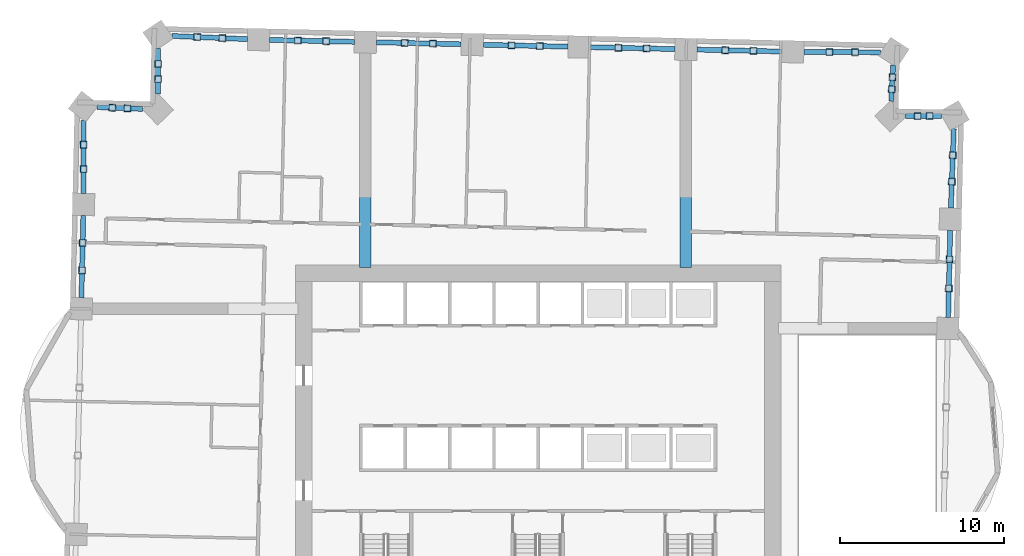
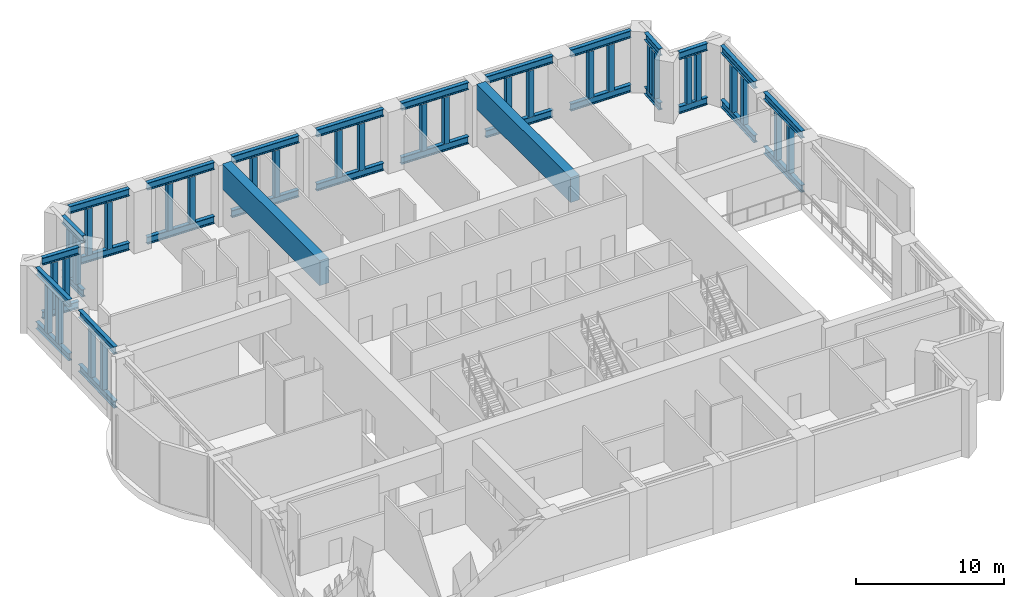
# One storey, part 4 of 13: 60 members, 2 beams.
"""IFC4 building model written with IfcOpenShell, lengths in metres."""

from ifc_helpers import new_model, si_unit, direction, frame, origin, origin_2d, place, context, subcontext, project, spatial, rectangle, hollow_rectangle, i_section, extrude, material, material_profile, profile_set, type_object, element, save


model = new_model("IFC4")

# Units and contexts
model_context = context("Model", 3, precision=1e-05, world=origin(), true_north=direction((0.0, 1.0)))
body_context = subcontext(model_context, "Body", "Model", "MODEL_VIEW")
ifc_project = project(units=[si_unit("LENGTHUNIT", "METRE"), si_unit("AREAUNIT", "SQUARE_METRE"), si_unit("VOLUMEUNIT", "CUBIC_METRE"), si_unit("PLANEANGLEUNIT", "RADIAN"), si_unit("MASSUNIT", "GRAM", prefix="KILO")], contexts=[model_context])

# Site, building, storey
site_placement = place(None, origin())
site = spatial("IfcSite", under=ifc_project, at=site_placement, CompositionType="ELEMENT")
building_placement = place(site_placement, origin())
building = spatial("IfcBuilding", under=site, at=building_placement, Name="Mangrove Gate Tower", CompositionType="ELEMENT")
storey_placement = place(building_placement, frame((0.0, 0.0, 119.89990234375)))
storey = spatial("IfcBuildingStorey", under=building, at=storey_placement, Name="L30", CompositionType="ELEMENT", Elevation=119.89990234375)

# Members
ifc_material_1 = material(Name="Steel S355J2", Category="steel")
ifc_material_profile_1 = material_profile(ifc_material_1, i_section(OverallWidth=0.300048828125, OverallDepth=0.60009765625, WebThickness=0.015380859375, FlangeThickness=0.030029296875, FilletRadius=0.027099609375, at=origin_2d()))
ifc_profile_set_1 = profile_set([ifc_material_profile_1], Name="Steel S355J2")
member_type_1 = type_object("IfcMemberType", Name="Belt truss chord HE 600 B", PredefinedType="CHORD", material=ifc_profile_set_1)
for number, where, z_axis, x_axis, name in (
    (1, (24.993408203125, 8.59912109375, 0.300048828125), (0.022659804799, 0.999743233659, 0.0), (-0.999743233659, 0.022659804799, 0.0), "Belt truss bottom chord L30 16"),
    (2, (24.993408203125, 8.59912109375, 4.75), (0.022659804799, 0.999743233659, 0.0), (-0.999743233659, 0.022659804799, 0.0), "Belt truss top chord L30 16"),
):
    element("IfcMember", number, at=place(storey_placement, frame(where, z_axis=z_axis, x_axis=x_axis)), inside=storey, type_object=member_type_1, Name=name, PredefinedType="CHORD", context=body_context, shape_type="SweptSolid", body=[
        extrude(i_section(OverallWidth=0.300048828125, OverallDepth=0.60009765625, WebThickness=0.015380859375, FlangeThickness=0.030029296875, FilletRadius=0.027099609375, at=origin_2d()), origin(), (0.0, 0.0, 1.0), 5.311767578125),
    ])
for number, where, z_axis, x_axis, name in (
    (3, (25.15478515625, 15.2587890625, 0.300048828125), (0.037881748056, 0.999282228984, 0.0), (-0.999282228984, 0.037881748056, 0.0), "Belt truss bottom chord L30 17"),
    (4, (25.15478515625, 15.2587890625, 4.75), (0.037881748056, 0.999282228984, 0.0), (-0.999282228984, 0.037881748056, 0.0), "Belt truss top chord L30 17"),
):
    element("IfcMember", number, at=place(storey_placement, frame(where, z_axis=z_axis, x_axis=x_axis)), inside=storey, type_object=member_type_1, Name=name, PredefinedType="CHORD", context=body_context, shape_type="SweptSolid", body=[
        extrude(i_section(OverallWidth=0.300048828125, OverallDepth=0.60009765625, WebThickness=0.015380859375, FlangeThickness=0.030029296875, FilletRadius=0.027099609375, at=origin_2d()), origin(), (0.0, 0.0, 1.0), 4.846435546875),
    ])
for number, where, z_axis, x_axis, name in (
    (5, (24.59619140625, 20.8876953125, 0.300048828125), (-0.999944627484, -0.010523400865, 0.0), (0.010523400865, -0.999944627484, 0.0), "Belt truss bottom chord L30 18"),
    (6, (24.59619140625, 20.8876953125, 4.75), (-0.999944627484, -0.010523400865, 0.0), (0.010523400865, -0.999944627484, 0.0), "Belt truss top chord L30 18"),
):
    element("IfcMember", number, at=place(storey_placement, frame(where, z_axis=z_axis, x_axis=x_axis)), inside=storey, type_object=member_type_1, Name=name, PredefinedType="CHORD", context=body_context, shape_type="SweptSolid", body=[
        extrude(i_section(OverallWidth=0.300048828125, OverallDepth=0.60009765625, WebThickness=0.015380859375, FlangeThickness=0.030029296875, FilletRadius=0.027099609375, at=origin_2d()), origin(), (0.0, 0.0, 1.0), 2.203857421875),
    ])
for number, where, z_axis, x_axis, name in (
    (7, (21.5185546875, 21.77880859375, 0.300048828125), (0.054456450957, 0.998516146564, 0.0), (-0.998516146564, 0.054456450957, 0.0), "Belt truss bottom chord L30 19"),
    (8, (21.5185546875, 21.77880859375, 4.75), (0.054456450957, 0.998516146564, 0.0), (-0.998516146564, 0.054456450957, 0.0), "Belt truss top chord L30 19"),
):
    element("IfcMember", number, at=place(storey_placement, frame(where, z_axis=z_axis, x_axis=x_axis)), inside=storey, type_object=member_type_1, Name=name, PredefinedType="CHORD", context=body_context, shape_type="SweptSolid", body=[
        extrude(i_section(OverallWidth=0.300048828125, OverallDepth=0.60009765625, WebThickness=0.015380859375, FlangeThickness=0.030029296875, FilletRadius=0.027099609375, at=origin_2d()), origin(), (0.0, 0.0, 1.0), 2.201171875),
    ])
for number, where, z_axis, x_axis, name in (
    (9, (20.880859375, 24.758056640625, 0.300048828125), (-0.999979817099, 0.006353376611, 0.0), (-0.006353376611, -0.999979817099, 0.0), "Belt truss bottom chord L30 20"),
    (10, (20.880859375, 24.758056640625, 4.75), (-0.999979817099, 0.006353376611, 0.0), (-0.006353376611, -0.999979817099, 0.0), "Belt truss top chord L30 20"),
):
    element("IfcMember", number, at=place(storey_placement, frame(where, z_axis=z_axis, x_axis=x_axis)), inside=storey, type_object=member_type_1, Name=name, PredefinedType="CHORD", context=body_context, shape_type="SweptSolid", body=[
        extrude(i_section(OverallWidth=0.300048828125, OverallDepth=0.60009765625, WebThickness=0.015380859375, FlangeThickness=0.030029296875, FilletRadius=0.027099609375, at=origin_2d()), origin(), (0.0, 0.0, 1.0), 4.68798828125),
    ])
for number, where, z_axis, x_axis, name in (
    (11, (14.8427734375, 24.8076171875, 0.300048828125), (-0.999742542789, 0.022690265286, 0.0), (-0.022690265286, -0.999742542789, 0.0), "Belt truss bottom chord L30 21"),
    (12, (14.8427734375, 24.8076171875, 4.75), (-0.999742542789, 0.022690265286, 0.0), (-0.022690265286, -0.999742542789, 0.0), "Belt truss top chord L30 21"),
):
    element("IfcMember", number, at=place(storey_placement, frame(where, z_axis=z_axis, x_axis=x_axis)), inside=storey, type_object=member_type_1, Name=name, PredefinedType="CHORD", context=body_context, shape_type="SweptSolid", body=[
        extrude(i_section(OverallWidth=0.300048828125, OverallDepth=0.60009765625, WebThickness=0.015380859375, FlangeThickness=0.030029296875, FilletRadius=0.027099609375, at=origin_2d()), origin(), (0.0, 0.0, 1.0), 5.16455078125),
    ])
for number, where, z_axis, x_axis, name in (
    (13, (8.329833984375, 24.95556640625, 0.300048828125), (-0.999742640111, 0.0226859768, 0.0), (-0.0226859768, -0.999742640111, 0.0), "Belt truss bottom chord L30 22"),
    (14, (8.329833984375, 24.95556640625, 4.75), (-0.999742640111, 0.0226859768, 0.0), (-0.0226859768, -0.999742640111, 0.0), "Belt truss top chord L30 22"),
    (15, (1.81591796875, 25.103515625, 0.300048828125), (-0.999741567077, 0.022733214852, 0.0), (-0.022733214852, -0.999741567077, 0.0), "Belt truss bottom chord L30 23"),
    (16, (1.81591796875, 25.103515625, 4.75), (-0.999741567077, 0.022733214852, 0.0), (-0.022733214852, -0.999741567077, 0.0), "Belt truss top chord L30 23"),
    (17, (-4.6982421875, 25.25146484375, 0.300048828125), (-0.999741567077, 0.022733214852, 0.0), (-0.022733214852, -0.999741567077, 0.0), "Belt truss bottom chord L30 24"),
    (18, (-4.6982421875, 25.25146484375, 4.75), (-0.999741567077, 0.022733214852, 0.0), (-0.022733214852, -0.999741567077, 0.0), "Belt truss top chord L30 24"),
):
    element("IfcMember", number, at=place(storey_placement, frame(where, z_axis=z_axis, x_axis=x_axis)), inside=storey, type_object=member_type_1, Name=name, PredefinedType="CHORD", context=body_context, shape_type="SweptSolid", body=[
        extrude(i_section(OverallWidth=0.300048828125, OverallDepth=0.60009765625, WebThickness=0.015380859375, FlangeThickness=0.030029296875, FilletRadius=0.027099609375, at=origin_2d()), origin(), (0.0, 0.0, 1.0), 5.16552734375),
    ])
for number, where, z_axis, x_axis, name in (
    (19, (-11.212158203125, 25.3994140625, 0.300048828125), (-0.999741469349, 0.022737512259, 0.0), (-0.022737512259, -0.999741469349, 0.0), "Belt truss bottom chord L30 25"),
    (20, (-11.212158203125, 25.3994140625, 4.75), (-0.999741469349, 0.022737512259, 0.0), (-0.022737512259, -0.999741469349, 0.0), "Belt truss top chord L30 25"),
):
    element("IfcMember", number, at=place(storey_placement, frame(where, z_axis=z_axis, x_axis=x_axis)), inside=storey, type_object=member_type_1, Name=name, PredefinedType="CHORD", context=body_context, shape_type="SweptSolid", body=[
        extrude(i_section(OverallWidth=0.300048828125, OverallDepth=0.60009765625, WebThickness=0.015380859375, FlangeThickness=0.030029296875, FilletRadius=0.027099609375, at=origin_2d()), origin(), (0.0, 0.0, 1.0), 5.16455078125),
    ])
for number, where, z_axis, x_axis, name in (
    (21, (-17.724853515625, 25.56103515625, 0.300048828125), (-0.999087933273, 0.042700135693, 0.0), (-0.042700135693, -0.999087933273, 0.0), "Belt truss bottom chord L30 26"),
    (22, (-17.724853515625, 25.56103515625, 4.75), (-0.999087933273, 0.042700135693, 0.0), (-0.042700135693, -0.999087933273, 0.0), "Belt truss top chord L30 26"),
):
    element("IfcMember", number, at=place(storey_placement, frame(where, z_axis=z_axis, x_axis=x_axis)), inside=storey, type_object=member_type_1, Name=name, PredefinedType="CHORD", context=body_context, shape_type="SweptSolid", body=[
        extrude(i_section(OverallWidth=0.300048828125, OverallDepth=0.60009765625, WebThickness=0.015380859375, FlangeThickness=0.030029296875, FilletRadius=0.027099609375, at=origin_2d()), origin(), (0.0, 0.0, 1.0), 4.614013671875),
    ])
for number, where, z_axis, x_axis, name in (
    (23, (-23.175048828125, 24.978515625, 0.300048828125), (-0.003432474059, -0.999994109044, 0.0), (0.999994109044, -0.003432474059, 0.0), "Belt truss bottom chord L30 27"),
    (24, (-23.175048828125, 24.978515625, 4.75), (-0.003432474059, -0.999994109044, 0.0), (0.999994109044, -0.003432474059, 0.0), "Belt truss top chord L30 27"),
):
    element("IfcMember", number, at=place(storey_placement, frame(where, z_axis=z_axis, x_axis=x_axis)), inside=storey, type_object=member_type_1, Name=name, PredefinedType="CHORD", context=body_context, shape_type="SweptSolid", body=[
        extrude(i_section(OverallWidth=0.300048828125, OverallDepth=0.60009765625, WebThickness=0.015380859375, FlangeThickness=0.030029296875, FilletRadius=0.027099609375, at=origin_2d()), origin(), (0.0, 0.0, 1.0), 2.77392578125),
    ])
for number, where, z_axis, x_axis, name in (
    (25, (-24.124755859375, 21.30615234375, 0.300048828125), (-0.999174125775, 0.040633316159, 0.0), (-0.040633316159, -0.999174125775, 0.0), "Belt truss bottom chord L30 28"),
    (26, (-24.124755859375, 21.30615234375, 4.75), (-0.999174125775, 0.040633316159, 0.0), (-0.040633316159, -0.999174125775, 0.0), "Belt truss top chord L30 28"),
):
    element("IfcMember", number, at=place(storey_placement, frame(where, z_axis=z_axis, x_axis=x_axis)), inside=storey, type_object=member_type_1, Name=name, PredefinedType="CHORD", context=body_context, shape_type="SweptSolid", body=[
        extrude(i_section(OverallWidth=0.300048828125, OverallDepth=0.60009765625, WebThickness=0.015380859375, FlangeThickness=0.030029296875, FilletRadius=0.027099609375, at=origin_2d()), origin(), (0.0, 0.0, 1.0), 2.769775390625),
    ])
for number, where, z_axis, x_axis, name in (
    (27, (-27.71533203125, 20.606201171875, 0.300048828125), (-0.001317521913, -0.999999132068, 0.0), (0.999999132068, -0.001317521913, 0.0), "Belt truss bottom chord L30 29"),
    (28, (-27.71533203125, 20.606201171875, 4.75), (-0.001317521913, -0.999999132068, 0.0), (0.999999132068, -0.001317521913, 0.0), "Belt truss top chord L30 29"),
):
    element("IfcMember", number, at=place(storey_placement, frame(where, z_axis=z_axis, x_axis=x_axis)), inside=storey, type_object=member_type_1, Name=name, PredefinedType="CHORD", context=body_context, shape_type="SweptSolid", body=[
        extrude(i_section(OverallWidth=0.300048828125, OverallDepth=0.60009765625, WebThickness=0.015380859375, FlangeThickness=0.030029296875, FilletRadius=0.027099609375, at=origin_2d()), origin(), (0.0, 0.0, 1.0), 4.447265625),
    ])
for number, where, z_axis, x_axis, name in (
    (29, (-27.737548828125, 14.808837890625, 0.300048828125), (-0.02259970241, -0.999744594109, 0.0), (0.999744594109, -0.02259970241, 0.0), "Belt truss bottom chord L30 30"),
    (30, (-27.737548828125, 14.808837890625, 4.75), (-0.02259970241, -0.999744594109, 0.0), (0.999744594109, -0.02259970241, 0.0), "Belt truss top chord L30 30"),
):
    element("IfcMember", number, at=place(storey_placement, frame(where, z_axis=z_axis, x_axis=x_axis)), inside=storey, type_object=member_type_1, Name=name, PredefinedType="CHORD", context=body_context, shape_type="SweptSolid", body=[
        extrude(i_section(OverallWidth=0.300048828125, OverallDepth=0.60009765625, WebThickness=0.015380859375, FlangeThickness=0.030029296875, FilletRadius=0.027099609375, at=origin_2d()), origin(), (0.0, 0.0, 1.0), 5.012451171875),
    ])
ifc_material_2 = material(Name="Steel S355J2H", Category="steel")
ifc_material_profile_2 = material_profile(ifc_material_2, hollow_rectangle(XDim=0.39990234375, YDim=0.39990234375, WallThickness=0.01611328125, at=origin_2d()))
ifc_profile_set_2 = profile_set([ifc_material_profile_2], Name="Steel S355J2H")
member_type_2 = type_object("IfcMemberType", Name="Belt truss post SHS 400x400x16", PredefinedType="POST", material=ifc_profile_set_2)
for number, where, z_axis, x_axis, name in (
    (31, (25.03369140625, 10.369140625, 0.60009765625), (0.0, 0.0, 1.0), (0.022666743984, 0.999743076354, 0.0), "Belt truss post L30 16-1"),
    (32, (25.07373046875, 12.139404296875, 0.60009765625), (0.0, 0.0, 1.0), (0.022666743984, 0.999743076354, 0.0), "Belt truss post L30 16-2"),
    (33, (25.216064453125, 16.873046875, 0.60009765625), (0.0, 0.0, 1.0), (0.037900135288, 0.999281531774, 0.0), "Belt truss post L30 17-1"),
    (34, (25.277099609375, 18.4873046875, 0.60009765625), (0.0, 0.0, 1.0), (0.037900135288, 0.999281531774, 0.0), "Belt truss post L30 17-2"),
    (35, (23.861572265625, 20.8798828125, 0.60009765625), (0.0, 0.0, 1.0), (-0.999944505201, -0.010535013907, 0.0), "Belt truss post L30 18-1"),
    (36, (23.126953125, 20.8720703125, 0.60009765625), (0.0, 0.0, 1.0), (-0.999944505201, -0.010535013907, 0.0), "Belt truss post L30 18-2"),
    (37, (21.55859375, 22.511474609375, 0.60009765625), (0.0, 0.0, 1.0), (0.054550018521, 0.998511039238, 0.0), "Belt truss post L30 19-1"),
    (38, (21.5986328125, 23.244140625, 0.60009765625), (0.0, 0.0, 1.0), (0.054550018521, 0.998511039238, 0.0), "Belt truss post L30 19-2"),
    (39, (19.318115234375, 24.76806640625, 0.60009765625), (0.0, 0.0, 1.0), (-0.999979682826, 0.006374475216, 0.0), "Belt truss post L30 20-1"),
    (40, (17.75537109375, 24.77783203125, 0.60009765625), (0.0, 0.0, 1.0), (-0.999979682826, 0.006374475216, 0.0), "Belt truss post L30 20-2"),
    (41, (13.121826171875, 24.8466796875, 0.60009765625), (0.0, 0.0, 1.0), (-0.999741915515, 0.022717886411, 0.0), "Belt truss post L30 21-1"),
    (42, (11.400634765625, 24.8857421875, 0.60009765625), (0.0, 0.0, 1.0), (-0.999741915515, 0.022717886411, 0.0), "Belt truss post L30 21-2"),
    (43, (6.6083984375, 24.99462890625, 0.60009765625), (0.0, 0.0, 1.0), (-0.999741994016, 0.022714431551, 0.0), "Belt truss post L30 22-1"),
    (44, (4.886962890625, 25.03369140625, 0.60009765625), (0.0, 0.0, 1.0), (-0.999741994016, 0.022714431551, 0.0), "Belt truss post L30 22-2"),
    (45, (0.094482421875, 25.142578125, 0.60009765625), (0.0, 0.0, 1.0), (-0.999741994016, 0.022714431551, 0.0), "Belt truss post L30 23-1"),
    (46, (-1.626953125, 25.181640625, 0.60009765625), (0.0, 0.0, 1.0), (-0.999741994016, 0.022714431551, 0.0), "Belt truss post L30 23-2"),
    (47, (-6.419677734375, 25.29052734375, 0.60009765625), (0.0, 0.0, 1.0), (-0.999741994016, 0.022714431551, 0.0), "Belt truss post L30 24-1"),
    (48, (-8.14111328125, 25.329833984375, 0.60009765625), (0.0, 0.0, 1.0), (-0.999741994016, 0.022714431551, 0.0), "Belt truss post L30 24-2"),
    (49, (-12.933349609375, 25.438720703125, 0.60009765625), (0.0, 0.0, 1.0), (-0.999741914325, 0.022717938758, 0.0), "Belt truss post L30 25-1"),
    (50, (-14.654296875, 25.477783203125, 0.60009765625), (0.0, 0.0, 1.0), (-0.999741914325, 0.022717938758, 0.0), "Belt truss post L30 25-2"),
    (51, (-19.261474609375, 25.626708984375, 0.60009765625), (0.0, 0.0, 1.0), (-0.999087628164, 0.042707273975, 0.0), "Belt truss post L30 26-1"),
    (52, (-20.798095703125, 25.6923828125, 0.60009765625), (0.0, 0.0, 1.0), (-0.999087628164, 0.042707273975, 0.0), "Belt truss post L30 26-2"),
    (53, (-23.17822265625, 24.053955078125, 0.60009765625), (0.0, 0.0, 1.0), (-0.003388271007, -0.999994259793, 0.0), "Belt truss post L30 27-1"),
    (54, (-23.181396484375, 23.12939453125, 0.60009765625), (0.0, 0.0, 1.0), (-0.003388271007, -0.999994259793, 0.0), "Belt truss post L30 27-2"),
    (55, (-25.04736328125, 21.34375, 0.60009765625), (0.0, 0.0, 1.0), (-0.999172485784, 0.040673623546, 0.0), "Belt truss post L30 28-1"),
    (56, (-25.969970703125, 21.38134765625, 0.60009765625), (0.0, 0.0, 1.0), (-0.999172485784, 0.040673623546, 0.0), "Belt truss post L30 28-2"),
    (57, (-27.71728515625, 19.123779296875, 0.60009765625), (0.0, 0.0, 1.0), (-0.001355928427, -0.999999080729, 0.0), "Belt truss post L30 29-1"),
    (58, (-27.71923828125, 17.641357421875, 0.60009765625), (0.0, 0.0, 1.0), (-0.001355928427, -0.999999080729, 0.0), "Belt truss post L30 29-2"),
    (59, (-27.775146484375, 13.138427734375, 0.60009765625), (0.0, 0.0, 1.0), (-0.022632090637, -0.999743861433, 0.0), "Belt truss post L30 30-1"),
    (60, (-27.81298828125, 11.468017578125, 0.60009765625), (0.0, 0.0, 1.0), (-0.022632090637, -0.999743861433, 0.0), "Belt truss post L30 30-2"),
):
    element("IfcMember", number, at=place(storey_placement, frame(where, z_axis=z_axis, x_axis=x_axis)), inside=storey, type_object=member_type_2, Name=name, PredefinedType="POST", context=body_context, shape_type="SweptSolid", body=[
        extrude(hollow_rectangle(XDim=0.39990234375, YDim=0.39990234375, WallThickness=0.01611328125, at=origin_2d()), origin(), (0.0, 0.0, 1.0), 3.85009765625),
    ])

# Beams
ifc_material_3 = material(Name="Concrete C70/85", Category="concrete")
ifc_material_profile_3 = material_profile(ifc_material_3, rectangle(XDim=0.699951171875, YDim=2.050048828125, at=origin_2d()))
ifc_profile_set_3 = profile_set([ifc_material_profile_3], Name="Concrete C70/85")
beam_type = type_object("IfcBeamType", Name="Outrigger coupling beam RC 700x2050 C70/85", PredefinedType="BEAM", material=ifc_profile_set_3)
beam_1_placement = place(storey_placement, frame((9.004638671875, 11.64990234375, 4.025146484375), z_axis=(0.0, 1.0, 0.0), x_axis=(-1.0, 0.0, 0.0)))
element("IfcBeam", 61, at=beam_1_placement, inside=storey, type_object=beam_type, Name="Outrigger coupling beam L30 OR3", PredefinedType="BEAM", context=body_context, shape_type="SweptSolid", body=[
    extrude(rectangle(XDim=0.699951171875, YDim=2.050048828125, at=origin_2d()), origin(), (0.0, 0.0, 1.0), 12.715087890625),
])
beam_2_placement = place(storey_placement, frame((-10.537353515625, 11.64990234375, 4.025146484375), z_axis=(0.0, 1.0, 0.0), x_axis=(-1.0, 0.0, 0.0)))
element("IfcBeam", 62, at=beam_2_placement, inside=storey, type_object=beam_type, Name="Outrigger coupling beam L30 OR7", PredefinedType="BEAM", context=body_context, shape_type="SweptSolid", body=[
    extrude(rectangle(XDim=0.699951171875, YDim=2.050048828125, at=origin_2d()), origin(), (0.0, 0.0, 1.0), 13.1591796875),
])

save(model, "model.ifc")
